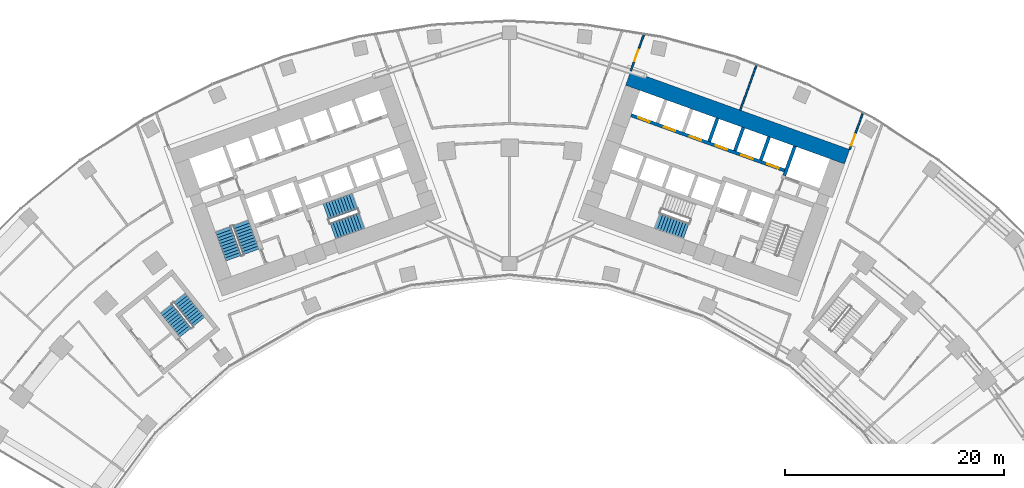
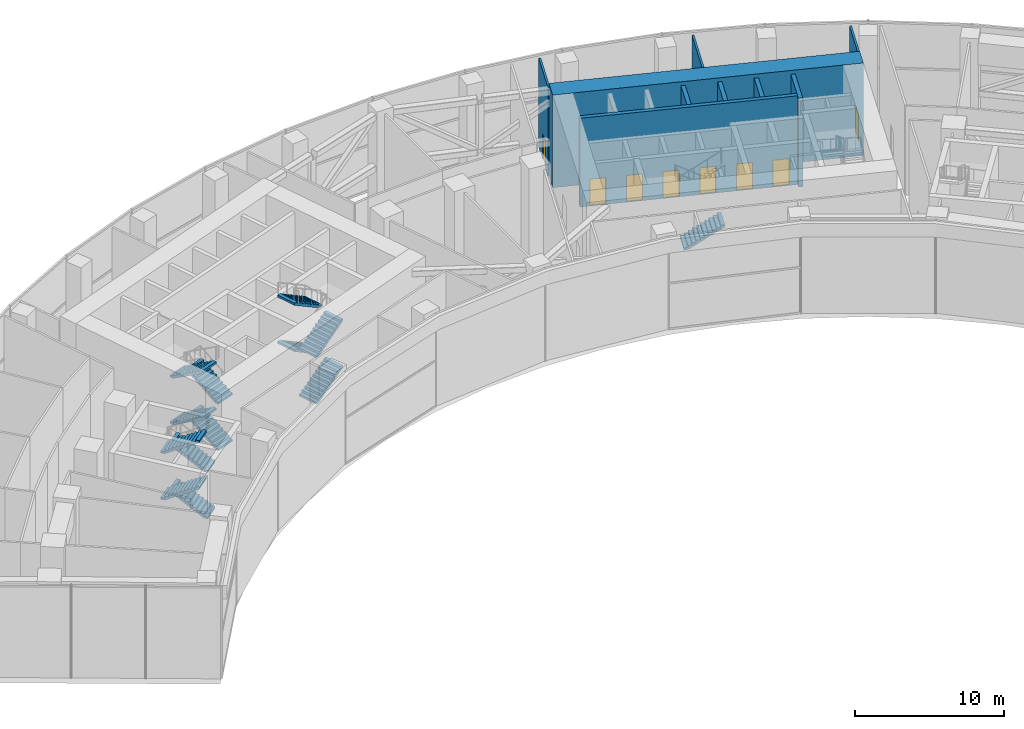
# One storey, part 29 of 33: 13 stair flights, 9 walls, 8 doors, 8 openings, 4 elements without a shape of their own.
"""IFC4 building model written with IfcOpenShell, lengths in metres."""

from ifc_helpers import new_model, si_unit, direction, frame, frame_2d, origin, place, context, subcontext, project, spatial, polyline, rectangle, outline, extrude, material, layer, layer_set, type_object, element, fill, aggregate, save


model = new_model("IFC4")

# Units and contexts
model_context = context("Model", 3, precision=1e-05, world=origin(), true_north=direction((0.0, 1.0)))
body_context = subcontext(model_context, "Body", "Model", "MODEL_VIEW")
ifc_project = project(units=[si_unit("LENGTHUNIT", "METRE"), si_unit("AREAUNIT", "SQUARE_METRE"), si_unit("VOLUMEUNIT", "CUBIC_METRE"), si_unit("PLANEANGLEUNIT", "RADIAN"), si_unit("MASSUNIT", "GRAM", prefix="KILO")], contexts=[model_context])

# Site, building, storey
site_placement = place(None, origin())
site = spatial("IfcSite", under=ifc_project, at=site_placement, CompositionType="ELEMENT")
building_placement = place(site_placement, origin())
building = spatial("IfcBuilding", under=site, at=building_placement, Name="Stone Belt Terrace Tower", CompositionType="ELEMENT")
storey_placement = place(building_placement, frame((0.0, 0.0, 79.39990234375)))
storey = spatial("IfcBuildingStorey", under=building, at=storey_placement, Name="L19", CompositionType="ELEMENT", Elevation=79.39990234375)

# Walls
ifc_material_1 = material(Name="Concrete B80", Category="concrete")
ifc_layer_1 = layer(ifc_material_1, 1.39990234375)
ifc_layer_set_1 = layer_set([ifc_layer_1], Name="Core wall 1400 B80")
wall_type_1 = type_object("IfcWallType", Name="Core wall 1400 B80", PredefinedType="SHEAR", material=ifc_layer_set_1)
wall_1_placement = place(storey_placement, frame((10.81787109375, 61.362060546875, 0.0), z_axis=(0.0, 0.0, 1.0), x_axis=(0.940919704758, -0.338629752382, 0.0)))
element("IfcWall", 1, at=wall_1_placement, inside=storey, type_object=wall_type_1, Name="Core B wall convex L19", PredefinedType="SHEAR", context=body_context, shape_type="SweptSolid", body=[
    extrude(rectangle(XDim=21.199951171875, YDim=1.39990234375, at=frame_2d((10.60009765625, 0.0))), origin(), (0.0, 0.0, 1.0), 7.60009765625),
])
ifc_layer_2 = layer(ifc_material_1, 0.300048828125)
ifc_layer_set_2 = layer_set([ifc_layer_2], Name="Lift shaft wall 300")
wall_type_2 = type_object("IfcWallType", Name="Lift shaft wall 300", PredefinedType="SHEAR", material=ifc_layer_set_2)
wall_2_placement = place(storey_placement, frame((25.046875, 52.46826171875, 0.0), z_axis=(0.0, 0.0, 1.0), x_axis=(0.338549588058, 0.940948551423, 0.0)))
element("IfcWall", 2, at=wall_2_placement, inside=storey, type_object=wall_type_2, Name="Core B wall", PredefinedType="SHEAR", context=body_context, shape_type="SweptSolid", body=[
    extrude(rectangle(XDim=2.849853515625, YDim=0.300048828125, at=frame_2d((1.4248046875, 0.0))), origin(), (0.0, 0.0, 1.0), 7.280029296875),
])

# Wall, openings, doors
wall_3_placement = place(storey_placement, frame((25.05810546875, 52.9423828125, 0.0), z_axis=(0.0, 0.0, 1.0), x_axis=(-0.940918215764, 0.338633889685, 0.0)))
wall_3 = element("IfcWall", 3, at=wall_3_placement, inside=storey, type_object=wall_type_2, Name="Core B wall", PredefinedType="SHEAR", context=body_context, shape_type="SweptSolid", body=[
    extrude(rectangle(XDim=14.850341796875, YDim=0.300048828125, at=frame_2d((7.42529296875, 0.0))), origin(), (0.0, 0.0, 1.0), 7.280029296875),
])
opening_1_placement = place(wall_3_placement, frame((0.570068359375, 0.0, 0.0)))
opening_1 = element("IfcOpeningElement", 4, at=opening_1_placement, cuts=wall_3, Name="Opening L19-LD10", PredefinedType="OPENING", context=body_context, shape_type="SweptSolid", body=[
    extrude(rectangle(XDim=1.10009765625, YDim=2.199951171875, at=frame_2d((0.550048828125, 1.10009765625))), frame((0.0, 0.159912109375, 0.0), z_axis=(0.0, -1.0, 0.0), x_axis=(1.0, 0.0, 0.0)), (0.0, 0.0, 1.0), 0.320068359375),
])
opening_2_placement = place(wall_3_placement, frame((3.070068359375, 0.0, 0.0)))
opening_2 = element("IfcOpeningElement", 5, at=opening_2_placement, cuts=wall_3, Name="Opening L19-LD11", PredefinedType="OPENING", context=body_context, shape_type="SweptSolid", body=[
    extrude(rectangle(XDim=1.10009765625, YDim=2.199951171875, at=frame_2d((0.550048828125, 1.10009765625))), frame((0.0, 0.159912109375, 0.0), z_axis=(0.0, -1.0, 0.0), x_axis=(1.0, 0.0, 0.0)), (0.0, 0.0, 1.0), 0.320068359375),
])
opening_3_placement = place(wall_3_placement, frame((5.570068359375, 0.0, 0.0)))
opening_3 = element("IfcOpeningElement", 6, at=opening_3_placement, cuts=wall_3, Name="Opening L19-LD12", PredefinedType="OPENING", context=body_context, shape_type="SweptSolid", body=[
    extrude(rectangle(XDim=1.10009765625, YDim=2.199951171875, at=frame_2d((0.550048828125, 1.10009765625))), frame((0.0, 0.159912109375, 0.0), z_axis=(0.0, -1.0, 0.0), x_axis=(1.0, 0.0, 0.0)), (0.0, 0.0, 1.0), 0.320068359375),
])
opening_4_placement = place(wall_3_placement, frame((8.070068359375, 0.0, 0.0)))
opening_4 = element("IfcOpeningElement", 7, at=opening_4_placement, cuts=wall_3, Name="Opening L19-LD13", PredefinedType="OPENING", context=body_context, shape_type="SweptSolid", body=[
    extrude(rectangle(XDim=1.10009765625, YDim=2.199951171875, at=frame_2d((0.550048828125, 1.10009765625))), frame((0.0, 0.159912109375, 0.0), z_axis=(0.0, -1.0, 0.0), x_axis=(1.0, 0.0, 0.0)), (0.0, 0.0, 1.0), 0.320068359375),
])
opening_5_placement = place(wall_3_placement, frame((10.570068359375, 0.0, 0.0)))
opening_5 = element("IfcOpeningElement", 8, at=opening_5_placement, cuts=wall_3, Name="Opening L19-LD14", PredefinedType="OPENING", context=body_context, shape_type="SweptSolid", body=[
    extrude(rectangle(XDim=1.10009765625, YDim=2.199951171875, at=frame_2d((0.550048828125, 1.10009765625))), frame((0.0, 0.159912109375, 0.0), z_axis=(0.0, -1.0, 0.0), x_axis=(1.0, 0.0, 0.0)), (0.0, 0.0, 1.0), 0.320068359375),
])
opening_6_placement = place(wall_3_placement, frame((13.070068359375, 0.0, 0.0)))
opening_6 = element("IfcOpeningElement", 9, at=opening_6_placement, cuts=wall_3, Name="Opening L19-LD15", PredefinedType="OPENING", context=body_context, shape_type="SweptSolid", body=[
    extrude(rectangle(XDim=1.10009765625, YDim=2.199951171875, at=frame_2d((0.550048828125, 1.10009765625))), frame((0.0, 0.159912109375, 0.0), z_axis=(0.0, -1.0, 0.0), x_axis=(1.0, 0.0, 0.0)), (0.0, 0.0, 1.0), 0.320068359375),
])
ifc_material_2 = material(Name="Stainless steel door leaf", Category="steel")
door_type_1 = type_object("IfcDoorType", Name="Landing door 1100", OperationType="SLIDING_TO_LEFT", PredefinedType="DOOR", material=ifc_material_2)
door_1_placement = place(opening_1_placement, origin())
door_1 = element("IfcDoor", 10, at=door_1_placement, inside=storey, type_object=door_type_1, Name="Landing door LR1 core B", OperationType="SLIDING_TO_LEFT", OverallHeight=2.199951171875, OverallWidth=1.10009765625, PredefinedType="DOOR", context=body_context, shape_type="SweptSolid", body=[
    extrude(rectangle(XDim=1.10009765625, YDim=2.199951171875, at=frame_2d((0.550048828125, 1.10009765625))), frame((0.0, 0.02490234375, 0.0), z_axis=(0.0, -1.0, 0.0), x_axis=(1.0, 0.0, 0.0)), (0.0, 0.0, 1.0), 0.050048828125),
])
fill(opening_1, door_1)
door_2_placement = place(opening_2_placement, origin())
door_2 = element("IfcDoor", 11, at=door_2_placement, inside=storey, type_object=door_type_1, Name="Landing door LR2 core B", OperationType="SLIDING_TO_LEFT", OverallHeight=2.199951171875, OverallWidth=1.10009765625, PredefinedType="DOOR", context=body_context, shape_type="SweptSolid", body=[
    extrude(rectangle(XDim=1.10009765625, YDim=2.199951171875, at=frame_2d((0.550048828125, 1.10009765625))), frame((0.0, 0.02490234375, 0.0), z_axis=(0.0, -1.0, 0.0), x_axis=(1.0, 0.0, 0.0)), (0.0, 0.0, 1.0), 0.050048828125),
])
fill(opening_2, door_2)
door_3_placement = place(opening_3_placement, origin())
door_3 = element("IfcDoor", 12, at=door_3_placement, inside=storey, type_object=door_type_1, Name="Landing door LR3 core B", OperationType="SLIDING_TO_LEFT", OverallHeight=2.199951171875, OverallWidth=1.10009765625, PredefinedType="DOOR", context=body_context, shape_type="SweptSolid", body=[
    extrude(rectangle(XDim=1.10009765625, YDim=2.199951171875, at=frame_2d((0.550048828125, 1.10009765625))), frame((0.0, 0.02490234375, 0.0), z_axis=(0.0, -1.0, 0.0), x_axis=(1.0, 0.0, 0.0)), (0.0, 0.0, 1.0), 0.050048828125),
])
fill(opening_3, door_3)
door_4_placement = place(opening_4_placement, origin())
door_4 = element("IfcDoor", 13, at=door_4_placement, inside=storey, type_object=door_type_1, Name="Landing door LR4 core B", OperationType="SLIDING_TO_LEFT", OverallHeight=2.199951171875, OverallWidth=1.10009765625, PredefinedType="DOOR", context=body_context, shape_type="SweptSolid", body=[
    extrude(rectangle(XDim=1.10009765625, YDim=2.199951171875, at=frame_2d((0.550048828125, 1.10009765625))), frame((0.0, 0.02490234375, 0.0), z_axis=(0.0, -1.0, 0.0), x_axis=(1.0, 0.0, 0.0)), (0.0, 0.0, 1.0), 0.050048828125),
])
fill(opening_4, door_4)
door_5_placement = place(opening_5_placement, origin())
door_5 = element("IfcDoor", 14, at=door_5_placement, inside=storey, type_object=door_type_1, Name="Landing door LR5 core B", OperationType="SLIDING_TO_LEFT", OverallHeight=2.199951171875, OverallWidth=1.10009765625, PredefinedType="DOOR", context=body_context, shape_type="SweptSolid", body=[
    extrude(rectangle(XDim=1.10009765625, YDim=2.199951171875, at=frame_2d((0.550048828125, 1.10009765625))), frame((0.0, 0.02490234375, 0.0), z_axis=(0.0, -1.0, 0.0), x_axis=(1.0, 0.0, 0.0)), (0.0, 0.0, 1.0), 0.050048828125),
])
fill(opening_5, door_5)
door_6_placement = place(opening_6_placement, origin())
door_6 = element("IfcDoor", 15, at=door_6_placement, inside=storey, type_object=door_type_1, Name="Landing door LR6 core B", OperationType="SLIDING_TO_LEFT", OverallHeight=2.199951171875, OverallWidth=1.10009765625, PredefinedType="DOOR", context=body_context, shape_type="SweptSolid", body=[
    extrude(rectangle(XDim=1.10009765625, YDim=2.199951171875, at=frame_2d((0.550048828125, 1.10009765625))), frame((0.0, 0.02490234375, 0.0), z_axis=(0.0, -1.0, 0.0), x_axis=(1.0, 0.0, 0.0)), (0.0, 0.0, 1.0), 0.050048828125),
])
fill(opening_6, door_6)

# Walls
wall_4_placement = place(storey_placement, frame((22.897705078125, 53.87939453125, 0.0), z_axis=(0.0, 0.0, 1.0), x_axis=(0.338535034312, 0.940953787677, 0.0)))
element("IfcWall", 16, at=wall_4_placement, inside=storey, type_object=wall_type_2, Name="Core B wall", PredefinedType="SHEAR", context=body_context, shape_type="SweptSolid", body=[
    extrude(rectangle(XDim=2.25, YDim=0.300048828125, at=frame_2d((1.125, 0.0))), origin(), (0.0, 0.0, 1.0), 7.280029296875),
])
wall_5_placement = place(storey_placement, frame((20.54541015625, 54.72607421875, 0.0), z_axis=(0.0, 0.0, 1.0), x_axis=(0.338569601369, 0.940941350472, 0.0)))
element("IfcWall", 17, at=wall_5_placement, inside=storey, type_object=wall_type_2, Name="Core B wall", PredefinedType="SHEAR", context=body_context, shape_type="SweptSolid", body=[
    extrude(rectangle(XDim=2.249755859375, YDim=0.300048828125, at=frame_2d((1.125, 0.0))), origin(), (0.0, 0.0, 1.0), 7.280029296875),
])
wall_6_placement = place(storey_placement, frame((18.193115234375, 55.572509765625, 0.0), z_axis=(0.0, 0.0, 1.0), x_axis=(0.338535034312, 0.940953787677, 0.0)))
element("IfcWall", 18, at=wall_6_placement, inside=storey, type_object=wall_type_2, Name="Core B wall", PredefinedType="SHEAR", context=body_context, shape_type="SweptSolid", body=[
    extrude(rectangle(XDim=2.25, YDim=0.300048828125, at=frame_2d((1.125, 0.0))), origin(), (0.0, 0.0, 1.0), 7.280029296875),
])

# Wall, opening, door
ifc_material_3 = material(Name="Gypsum board partition")
ifc_layer_3 = layer(ifc_material_3, 0.14990234375)
ifc_layer_set_3 = layer_set([ifc_layer_3], Name="PARTITION 150 EI 60")
wall_type_3 = type_object("IfcWallType", Name="PARTITION 150 EI 60", PredefinedType="PARTITIONING", material=ifc_layer_set_3)
wall_7_placement = place(storey_placement, frame((12.23486328125, 65.297119140625, 0.0), z_axis=(0.0, 0.0, 1.0), x_axis=(-0.338853532575, -0.94083913793, 0.0)))
wall_7 = element("IfcWall", 19, at=wall_7_placement, inside=storey, type_object=wall_type_3, Name="L19/wall/i017", PredefinedType="PARTITIONING", context=body_context, shape_type="SweptSolid", body=[
    extrude(rectangle(XDim=3.482177734375, YDim=0.14990234375, at=frame_2d((1.7412109375, 0.0))), origin(), (0.0, 0.0, 1.0), 7.280029296875),
])
opening_7_placement = place(wall_7_placement, frame((1.458251953125, 0.0, 0.0)))
opening_7 = element("IfcOpeningElement", 20, at=opening_7_placement, cuts=wall_7, Name="Opening D-T1-09", PredefinedType="OPENING", context=body_context, shape_type="SweptSolid", body=[
    extrude(rectangle(XDim=1.10009765625, YDim=2.10009765625, at=frame_2d((0.550048828125, 1.050048828125))), frame((0.0, 0.0849609375, 0.0), z_axis=(0.0, -1.0, 0.0), x_axis=(1.0, 0.0, 0.0)), (0.0, 0.0, 1.0), 0.169921875),
])
ifc_material_4 = material(Name="Steel fire door set", Category="steel")
door_type_2 = type_object("IfcDoorType", Name="SERVICE ROOM DOOR 1100 X 2100", OperationType="NOTDEFINED", PredefinedType="DOOR", material=ifc_material_4)
door_7_placement = place(opening_7_placement, origin())
door_7 = element("IfcDoor", 21, at=door_7_placement, inside=storey, type_object=door_type_2, Name="L19/door/i09", OperationType="SINGLE_SWING_RIGHT", OverallHeight=2.10009765625, OverallWidth=1.10009765625, PredefinedType="DOOR", context=body_context, shape_type="SweptSolid", body=[
    extrude(rectangle(XDim=1.10009765625, YDim=2.10009765625, at=frame_2d((0.550048828125, 1.050048828125))), frame((0.0, 0.02490234375, 0.0), z_axis=(0.0, -1.0, 0.0), x_axis=(1.0, 0.0, 0.0)), (0.0, 0.0, 1.0), 0.050048828125),
])
fill(opening_7, door_7)

wall_8_placement = place(storey_placement, frame((31.001953125, 54.842041015625, 0.0), z_axis=(0.0, 0.0, 1.0), x_axis=(0.338662585219, 0.940907887826, 0.0)))
wall_8 = element("IfcWall", 22, at=wall_8_placement, inside=storey, type_object=wall_type_3, Name="L19/wall/i021", PredefinedType="PARTITIONING", context=body_context, shape_type="SweptSolid", body=[
    extrude(rectangle(XDim=3.49560546875, YDim=0.14990234375, at=frame_2d((1.747802734375, 0.0))), origin(), (0.0, 0.0, 1.0), 7.280029296875),
])
opening_8_placement = place(wall_8_placement, frame((0.389892578125, 0.0, 0.0)))
opening_8 = element("IfcOpeningElement", 23, at=opening_8_placement, cuts=wall_8, Name="Opening D-T1-10", PredefinedType="OPENING", context=body_context, shape_type="SweptSolid", body=[
    extrude(rectangle(XDim=1.10009765625, YDim=2.10009765625, at=frame_2d((0.550048828125, 1.050048828125))), frame((0.0, 0.0849609375, 0.0), z_axis=(0.0, -1.0, 0.0), x_axis=(1.0, 0.0, 0.0)), (0.0, 0.0, 1.0), 0.169921875),
])
door_8_placement = place(opening_8_placement, origin())
door_8 = element("IfcDoor", 24, at=door_8_placement, inside=storey, type_object=door_type_2, Name="L19/door/i10", OperationType="SINGLE_SWING_LEFT", OverallHeight=2.10009765625, OverallWidth=1.10009765625, PredefinedType="DOOR", context=body_context, shape_type="SweptSolid", body=[
    extrude(rectangle(XDim=1.10009765625, YDim=2.10009765625, at=frame_2d((0.550048828125, 1.050048828125))), frame((0.0, 0.02490234375, 0.0), z_axis=(0.0, -1.0, 0.0), x_axis=(1.0, 0.0, 0.0)), (0.0, 0.0, 1.0), 0.050048828125),
])
fill(opening_8, door_8)

# Wall
wall_9_placement = place(storey_placement, frame((22.492919921875, 62.4990234375, 0.0), z_axis=(0.0, 0.0, 1.0), x_axis=(-0.338585491978, -0.94093563256, 0.0)))
element("IfcWall", 25, at=wall_9_placement, inside=storey, type_object=wall_type_3, Name="L19/wall/i030", PredefinedType="PARTITIONING", context=body_context, shape_type="SweptSolid", body=[
    extrude(rectangle(XDim=4.323486328125, YDim=0.14990234375, at=frame_2d((2.16162109375, 0.0))), origin(), (0.0, 0.0, 1.0), 7.280029296875),
])

# Stair, stair flights
ifc_material_5 = material(Name="Concrete B40", Category="concrete")
stair_type = type_object("IfcStairType", Name="Exit stair 1500", PredefinedType="HALF_TURN_STAIR", material=ifc_material_5)
stair_1_placement = place(storey_placement, origin())
stair_1 = element("IfcStair", 26, at=stair_1_placement, inside=storey, type_object=stair_type, Name="L19 Exit stair 1 core A", PredefinedType="HALF_TURN_STAIR")
stair_flight_type = type_object("IfcStairFlightType", Name="Stair flight 1500", PredefinedType="STRAIGHT", material=ifc_material_5)
stair_flight_1_placement = place(storey_placement, frame((-23.55322265625, 45.51318359375, 0.0), z_axis=(0.0, 0.0, 1.0), x_axis=(-0.338624396177, 0.940921632398, 0.0)))
stair_flight_1 = element("IfcStairFlight", 27, at=stair_flight_1_placement, type_object=stair_flight_type, Name="ST1A flight 1", NumberOfRisers=11, NumberOfTreads=10, PredefinedType="STRAIGHT", RiserHeight=0.172727273, TreadLength=0.28, context=body_context, shape_type="SweptSolid", body=[
    extrude(outline(polyline([(0.0, 0.0), (0.0, 0.172607421875), (0.280029296875, 0.172607421875), (0.280029296875, 0.345458984375), (0.56005859375, 0.345458984375), (0.56005859375, 0.51806640625), (0.840087890625, 0.51806640625), (0.840087890625, 0.69091796875), (1.1201171875, 0.69091796875), (1.1201171875, 0.863525390625), (1.39990234375, 0.863525390625), (1.39990234375, 1.036376953125), (1.679931640625, 1.036376953125), (1.679931640625, 1.208984375), (1.9599609375, 1.208984375), (1.9599609375, 1.3818359375), (2.239990234375, 1.3818359375), (2.239990234375, 1.554443359375), (2.52001953125, 1.554443359375), (2.52001953125, 1.727294921875), (2.800048828125, 1.727294921875), (2.800048828125, 1.89990234375), (2.800048828125, 1.551025390625), (0.285400390625, 0.0), (0.0, 0.0)])), frame((0.0, 0.75, 0.0), z_axis=(0.0, -1.0, 0.0), x_axis=(1.0, 0.0, 0.0)), (0.0, 0.0, 1.0), 1.5),
])
stair_flight_2_placement = place(storey_placement, frame((-26.10107421875, 47.572021484375, 1.900146484375), z_axis=(0.0, 0.0, 1.0), x_axis=(0.338624396177, -0.940921632398, 0.0)))
stair_flight_2 = element("IfcStairFlight", 28, at=stair_flight_2_placement, type_object=stair_flight_type, Name="ST1A flight 2", NumberOfRisers=11, NumberOfTreads=10, PredefinedType="STRAIGHT", RiserHeight=0.172727273, TreadLength=0.28, context=body_context, shape_type="SweptSolid", body=[
    extrude(outline(polyline([(0.0, 0.0), (0.0, 0.172607421875), (0.280029296875, 0.172607421875), (0.280029296875, 0.345458984375), (0.56005859375, 0.345458984375), (0.56005859375, 0.51806640625), (0.840087890625, 0.51806640625), (0.840087890625, 0.69091796875), (1.1201171875, 0.69091796875), (1.1201171875, 0.863525390625), (1.39990234375, 0.863525390625), (1.39990234375, 1.036376953125), (1.679931640625, 1.036376953125), (1.679931640625, 1.208984375), (1.9599609375, 1.208984375), (1.9599609375, 1.3818359375), (2.239990234375, 1.3818359375), (2.239990234375, 1.554443359375), (2.52001953125, 1.554443359375), (2.52001953125, 1.727294921875), (2.800048828125, 1.727294921875), (2.800048828125, 1.89990234375), (2.800048828125, 1.551025390625), (0.285400390625, 0.0), (0.0, 0.0)])), frame((0.0, 0.75, 0.0), z_axis=(0.0, -1.0, 0.0), x_axis=(1.0, 0.0, 0.0)), (0.0, 0.0, 1.0), 1.5),
])
stair_flight_3_placement = place(storey_placement, frame((-23.55322265625, 45.51318359375, 3.800048828125), z_axis=(0.0, 0.0, 1.0), x_axis=(-0.338624396177, 0.940921632398, 0.0)))
stair_flight_3 = element("IfcStairFlight", 29, at=stair_flight_3_placement, type_object=stair_flight_type, Name="ST1A flight 3", NumberOfRisers=11, NumberOfTreads=10, PredefinedType="STRAIGHT", RiserHeight=0.172727273, TreadLength=0.28, context=body_context, shape_type="SweptSolid", body=[
    extrude(outline(polyline([(0.0, 0.0), (0.0, 0.172607421875), (0.280029296875, 0.172607421875), (0.280029296875, 0.345458984375), (0.56005859375, 0.345458984375), (0.56005859375, 0.51806640625), (0.840087890625, 0.51806640625), (0.840087890625, 0.69091796875), (1.1201171875, 0.69091796875), (1.1201171875, 0.863525390625), (1.39990234375, 0.863525390625), (1.39990234375, 1.036376953125), (1.679931640625, 1.036376953125), (1.679931640625, 1.208984375), (1.9599609375, 1.208984375), (1.9599609375, 1.3818359375), (2.239990234375, 1.3818359375), (2.239990234375, 1.554443359375), (2.52001953125, 1.554443359375), (2.52001953125, 1.727294921875), (2.800048828125, 1.727294921875), (2.800048828125, 1.89990234375), (2.800048828125, 1.551025390625), (0.285400390625, 0.0), (0.0, 0.0)])), frame((0.0, 0.75, 0.0), z_axis=(0.0, -1.0, 0.0), x_axis=(1.0, 0.0, 0.0)), (0.0, 0.0, 1.0), 1.5),
])
stair_flight_4_placement = place(storey_placement, frame((-26.10107421875, 47.572021484375, 5.7001953125), z_axis=(0.0, 0.0, 1.0), x_axis=(0.338624396177, -0.940921632398, 0.0)))
stair_flight_4 = element("IfcStairFlight", 30, at=stair_flight_4_placement, type_object=stair_flight_type, Name="ST1A flight 4", NumberOfRisers=11, NumberOfTreads=10, PredefinedType="STRAIGHT", RiserHeight=0.172727273, TreadLength=0.28, context=body_context, shape_type="SweptSolid", body=[
    extrude(outline(polyline([(0.0, 0.0), (0.0, 0.172607421875), (0.280029296875, 0.172607421875), (0.280029296875, 0.345458984375), (0.56005859375, 0.345458984375), (0.56005859375, 0.51806640625), (0.840087890625, 0.51806640625), (0.840087890625, 0.69091796875), (1.1201171875, 0.69091796875), (1.1201171875, 0.863525390625), (1.39990234375, 0.863525390625), (1.39990234375, 1.036376953125), (1.679931640625, 1.036376953125), (1.679931640625, 1.208984375), (1.9599609375, 1.208984375), (1.9599609375, 1.3818359375), (2.239990234375, 1.3818359375), (2.239990234375, 1.554443359375), (2.52001953125, 1.554443359375), (2.52001953125, 1.727294921875), (2.800048828125, 1.727294921875), (2.800048828125, 1.89990234375), (2.800048828125, 1.551025390625), (0.285400390625, 0.0), (0.0, 0.0)])), frame((0.0, 0.75, 0.0), z_axis=(0.0, -1.0, 0.0), x_axis=(1.0, 0.0, 0.0)), (0.0, 0.0, 1.0), 1.5),
])
aggregate(stair_1, [stair_flight_1, stair_flight_2, stair_flight_3, stair_flight_4])

stair_2_placement = place(storey_placement, origin())
stair_2 = element("IfcStair", 31, at=stair_2_placement, inside=storey, type_object=stair_type, Name="L19 Exit stair 2 core A", PredefinedType="HALF_TURN_STAIR")
stair_flight_5_placement = place(storey_placement, frame((-16.101318359375, 47.39794921875, 0.0), z_axis=(0.0, 0.0, 1.0), x_axis=(0.940921632398, 0.338624396177, 0.0)))
stair_flight_5 = element("IfcStairFlight", 32, at=stair_flight_5_placement, type_object=stair_flight_type, Name="ST2A flight 1", NumberOfRisers=11, NumberOfTreads=10, PredefinedType="STRAIGHT", RiserHeight=0.172727273, TreadLength=0.28, context=body_context, shape_type="SweptSolid", body=[
    extrude(outline(polyline([(0.0, 0.0), (0.0, 0.172607421875), (0.280029296875, 0.172607421875), (0.280029296875, 0.345458984375), (0.56005859375, 0.345458984375), (0.56005859375, 0.51806640625), (0.840087890625, 0.51806640625), (0.840087890625, 0.69091796875), (1.1201171875, 0.69091796875), (1.1201171875, 0.863525390625), (1.39990234375, 0.863525390625), (1.39990234375, 1.036376953125), (1.679931640625, 1.036376953125), (1.679931640625, 1.208984375), (1.9599609375, 1.208984375), (1.9599609375, 1.3818359375), (2.239990234375, 1.3818359375), (2.239990234375, 1.554443359375), (2.52001953125, 1.554443359375), (2.52001953125, 1.727294921875), (2.800048828125, 1.727294921875), (2.800048828125, 1.89990234375), (2.800048828125, 1.551025390625), (0.285400390625, 0.0), (0.0, 0.0)])), frame((0.0, 0.75, 0.0), z_axis=(0.0, -1.0, 0.0), x_axis=(1.0, 0.0, 0.0)), (0.0, 0.0, 1.0), 1.5),
])
stair_flight_6_placement = place(storey_placement, frame((-14.110107421875, 50.1337890625, 1.900146484375), z_axis=(0.0, 0.0, 1.0), x_axis=(-0.940921632398, -0.338624396177, 0.0)))
stair_flight_6 = element("IfcStairFlight", 33, at=stair_flight_6_placement, type_object=stair_flight_type, Name="ST2A flight 2", NumberOfRisers=11, NumberOfTreads=10, PredefinedType="STRAIGHT", RiserHeight=0.172727273, TreadLength=0.28, context=body_context, shape_type="SweptSolid", body=[
    extrude(outline(polyline([(0.0, 0.0), (0.0, 0.172607421875), (0.280029296875, 0.172607421875), (0.280029296875, 0.345458984375), (0.56005859375, 0.345458984375), (0.56005859375, 0.51806640625), (0.840087890625, 0.51806640625), (0.840087890625, 0.69091796875), (1.1201171875, 0.69091796875), (1.1201171875, 0.863525390625), (1.39990234375, 0.863525390625), (1.39990234375, 1.036376953125), (1.679931640625, 1.036376953125), (1.679931640625, 1.208984375), (1.9599609375, 1.208984375), (1.9599609375, 1.3818359375), (2.239990234375, 1.3818359375), (2.239990234375, 1.554443359375), (2.52001953125, 1.554443359375), (2.52001953125, 1.727294921875), (2.800048828125, 1.727294921875), (2.800048828125, 1.89990234375), (2.800048828125, 1.551025390625), (0.285400390625, 0.0), (0.0, 0.0)])), frame((0.0, 0.75, 0.0), z_axis=(0.0, -1.0, 0.0), x_axis=(1.0, 0.0, 0.0)), (0.0, 0.0, 1.0), 1.5),
])
stair_flight_7_placement = place(storey_placement, frame((-16.101318359375, 47.39794921875, 3.800048828125), z_axis=(0.0, 0.0, 1.0), x_axis=(0.940921632398, 0.338624396177, 0.0)))
stair_flight_7 = element("IfcStairFlight", 34, at=stair_flight_7_placement, type_object=stair_flight_type, Name="ST2A flight 3", NumberOfRisers=11, NumberOfTreads=10, PredefinedType="STRAIGHT", RiserHeight=0.172727273, TreadLength=0.28, context=body_context, shape_type="SweptSolid", body=[
    extrude(outline(polyline([(0.0, 0.0), (0.0, 0.172607421875), (0.280029296875, 0.172607421875), (0.280029296875, 0.345458984375), (0.56005859375, 0.345458984375), (0.56005859375, 0.51806640625), (0.840087890625, 0.51806640625), (0.840087890625, 0.69091796875), (1.1201171875, 0.69091796875), (1.1201171875, 0.863525390625), (1.39990234375, 0.863525390625), (1.39990234375, 1.036376953125), (1.679931640625, 1.036376953125), (1.679931640625, 1.208984375), (1.9599609375, 1.208984375), (1.9599609375, 1.3818359375), (2.239990234375, 1.3818359375), (2.239990234375, 1.554443359375), (2.52001953125, 1.554443359375), (2.52001953125, 1.727294921875), (2.800048828125, 1.727294921875), (2.800048828125, 1.89990234375), (2.800048828125, 1.551025390625), (0.285400390625, 0.0), (0.0, 0.0)])), frame((0.0, 0.75, 0.0), z_axis=(0.0, -1.0, 0.0), x_axis=(1.0, 0.0, 0.0)), (0.0, 0.0, 1.0), 1.5),
])
stair_flight_8_placement = place(storey_placement, frame((-14.110107421875, 50.1337890625, 5.7001953125), z_axis=(0.0, 0.0, 1.0), x_axis=(-0.940921632398, -0.338624396177, 0.0)))
stair_flight_8 = element("IfcStairFlight", 35, at=stair_flight_8_placement, type_object=stair_flight_type, Name="ST2A flight 4", NumberOfRisers=11, NumberOfTreads=10, PredefinedType="STRAIGHT", RiserHeight=0.172727273, TreadLength=0.28, context=body_context, shape_type="SweptSolid", body=[
    extrude(outline(polyline([(0.0, 0.0), (0.0, 0.172607421875), (0.280029296875, 0.172607421875), (0.280029296875, 0.345458984375), (0.56005859375, 0.345458984375), (0.56005859375, 0.51806640625), (0.840087890625, 0.51806640625), (0.840087890625, 0.69091796875), (1.1201171875, 0.69091796875), (1.1201171875, 0.863525390625), (1.39990234375, 0.863525390625), (1.39990234375, 1.036376953125), (1.679931640625, 1.036376953125), (1.679931640625, 1.208984375), (1.9599609375, 1.208984375), (1.9599609375, 1.3818359375), (2.239990234375, 1.3818359375), (2.239990234375, 1.554443359375), (2.52001953125, 1.554443359375), (2.52001953125, 1.727294921875), (2.800048828125, 1.727294921875), (2.800048828125, 1.89990234375), (2.800048828125, 1.551025390625), (0.285400390625, 0.0), (0.0, 0.0)])), frame((0.0, 0.75, 0.0), z_axis=(0.0, -1.0, 0.0), x_axis=(1.0, 0.0, 0.0)), (0.0, 0.0, 1.0), 1.5),
])
aggregate(stair_2, [stair_flight_5, stair_flight_6, stair_flight_7, stair_flight_8])

# Stair, stair flight
stair_3_placement = place(storey_placement, origin())
stair_3 = element("IfcStair", 36, at=stair_3_placement, inside=storey, type_object=stair_type, Name="L19 Exit stair 2 core B", PredefinedType="HALF_TURN_STAIR")
stair_flight_9_placement = place(storey_placement, frame((13.466796875, 48.345947265625, 1.900146484375), z_axis=(0.0, 0.0, 1.0), x_axis=(0.940921632398, -0.338624396177, 0.0)))
stair_flight_9 = element("IfcStairFlight", 37, at=stair_flight_9_placement, type_object=stair_flight_type, Name="ST2B flight 2", NumberOfRisers=11, NumberOfTreads=10, PredefinedType="STRAIGHT", RiserHeight=0.172727273, TreadLength=0.28, context=body_context, shape_type="SweptSolid", body=[
    extrude(outline(polyline([(0.0, 0.0), (0.0, 0.172607421875), (0.280029296875, 0.172607421875), (0.280029296875, 0.345458984375), (0.56005859375, 0.345458984375), (0.56005859375, 0.51806640625), (0.840087890625, 0.51806640625), (0.840087890625, 0.69091796875), (1.1201171875, 0.69091796875), (1.1201171875, 0.863525390625), (1.39990234375, 0.863525390625), (1.39990234375, 1.036376953125), (1.679931640625, 1.036376953125), (1.679931640625, 1.208984375), (1.9599609375, 1.208984375), (1.9599609375, 1.3818359375), (2.239990234375, 1.3818359375), (2.239990234375, 1.554443359375), (2.52001953125, 1.554443359375), (2.52001953125, 1.727294921875), (2.800048828125, 1.727294921875), (2.800048828125, 1.89990234375), (2.800048828125, 1.551025390625), (0.285400390625, 0.0), (0.0, 0.0)])), frame((0.0, 0.75, 0.0), z_axis=(0.0, -1.0, 0.0), x_axis=(1.0, 0.0, 0.0)), (0.0, 0.0, 1.0), 1.5),
])
aggregate(stair_3, [stair_flight_9])

# Stair, stair flights
stair_4_placement = place(storey_placement, origin())
stair_4 = element("IfcStair", 38, at=stair_4_placement, inside=storey, type_object=stair_type, Name="L19 Exit stair 3A", PredefinedType="HALF_TURN_STAIR")
stair_flight_10_placement = place(storey_placement, frame((-28.325439453125, 39.1240234375, 0.0), z_axis=(0.0, 0.0, 1.0), x_axis=(-0.623121363691, 0.782125160132, 0.0)))
stair_flight_10 = element("IfcStairFlight", 39, at=stair_flight_10_placement, type_object=stair_flight_type, Name="ST3A flight 1", NumberOfRisers=11, NumberOfTreads=10, PredefinedType="STRAIGHT", RiserHeight=0.172727273, TreadLength=0.28, context=body_context, shape_type="SweptSolid", body=[
    extrude(outline(polyline([(0.0, 0.0), (0.0, 0.172607421875), (0.280029296875, 0.172607421875), (0.280029296875, 0.345458984375), (0.56005859375, 0.345458984375), (0.56005859375, 0.51806640625), (0.840087890625, 0.51806640625), (0.840087890625, 0.69091796875), (1.1201171875, 0.69091796875), (1.1201171875, 0.863525390625), (1.39990234375, 0.863525390625), (1.39990234375, 1.036376953125), (1.679931640625, 1.036376953125), (1.679931640625, 1.208984375), (1.9599609375, 1.208984375), (1.9599609375, 1.3818359375), (2.239990234375, 1.3818359375), (2.239990234375, 1.554443359375), (2.52001953125, 1.554443359375), (2.52001953125, 1.727294921875), (2.800048828125, 1.727294921875), (2.800048828125, 1.89990234375), (2.800048828125, 1.551025390625), (0.285400390625, 0.0), (0.0, 0.0)])), frame((0.0, 0.675048828125, 0.0), z_axis=(0.0, -1.0, 0.0), x_axis=(1.0, 0.0, 0.0)), (0.0, 0.0, 1.0), 1.35009765625),
])
stair_flight_11_placement = place(storey_placement, frame((-31.282470703125, 40.34814453125, 1.900146484375), z_axis=(0.0, 0.0, 1.0), x_axis=(0.623121363691, -0.782125160132, 0.0)))
stair_flight_11 = element("IfcStairFlight", 40, at=stair_flight_11_placement, type_object=stair_flight_type, Name="ST3A flight 2", NumberOfRisers=11, NumberOfTreads=10, PredefinedType="STRAIGHT", RiserHeight=0.172727273, TreadLength=0.28, context=body_context, shape_type="SweptSolid", body=[
    extrude(outline(polyline([(0.0, 0.0), (0.0, 0.172607421875), (0.280029296875, 0.172607421875), (0.280029296875, 0.345458984375), (0.56005859375, 0.345458984375), (0.56005859375, 0.51806640625), (0.840087890625, 0.51806640625), (0.840087890625, 0.69091796875), (1.1201171875, 0.69091796875), (1.1201171875, 0.863525390625), (1.39990234375, 0.863525390625), (1.39990234375, 1.036376953125), (1.679931640625, 1.036376953125), (1.679931640625, 1.208984375), (1.9599609375, 1.208984375), (1.9599609375, 1.3818359375), (2.239990234375, 1.3818359375), (2.239990234375, 1.554443359375), (2.52001953125, 1.554443359375), (2.52001953125, 1.727294921875), (2.800048828125, 1.727294921875), (2.800048828125, 1.89990234375), (2.800048828125, 1.551025390625), (0.285400390625, 0.0), (0.0, 0.0)])), frame((0.0, 0.675048828125, 0.0), z_axis=(0.0, -1.0, 0.0), x_axis=(1.0, 0.0, 0.0)), (0.0, 0.0, 1.0), 1.35009765625),
])
stair_flight_12_placement = place(storey_placement, frame((-28.325439453125, 39.1240234375, 3.800048828125), z_axis=(0.0, 0.0, 1.0), x_axis=(-0.623121363691, 0.782125160132, 0.0)))
stair_flight_12 = element("IfcStairFlight", 41, at=stair_flight_12_placement, type_object=stair_flight_type, Name="ST3A flight 3", NumberOfRisers=11, NumberOfTreads=10, PredefinedType="STRAIGHT", RiserHeight=0.172727273, TreadLength=0.28, context=body_context, shape_type="SweptSolid", body=[
    extrude(outline(polyline([(0.0, 0.0), (0.0, 0.172607421875), (0.280029296875, 0.172607421875), (0.280029296875, 0.345458984375), (0.56005859375, 0.345458984375), (0.56005859375, 0.51806640625), (0.840087890625, 0.51806640625), (0.840087890625, 0.69091796875), (1.1201171875, 0.69091796875), (1.1201171875, 0.863525390625), (1.39990234375, 0.863525390625), (1.39990234375, 1.036376953125), (1.679931640625, 1.036376953125), (1.679931640625, 1.208984375), (1.9599609375, 1.208984375), (1.9599609375, 1.3818359375), (2.239990234375, 1.3818359375), (2.239990234375, 1.554443359375), (2.52001953125, 1.554443359375), (2.52001953125, 1.727294921875), (2.800048828125, 1.727294921875), (2.800048828125, 1.89990234375), (2.800048828125, 1.551025390625), (0.285400390625, 0.0), (0.0, 0.0)])), frame((0.0, 0.675048828125, 0.0), z_axis=(0.0, -1.0, 0.0), x_axis=(1.0, 0.0, 0.0)), (0.0, 0.0, 1.0), 1.35009765625),
])
stair_flight_13_placement = place(storey_placement, frame((-31.282470703125, 40.34814453125, 5.7001953125), z_axis=(0.0, 0.0, 1.0), x_axis=(0.623121363691, -0.782125160132, 0.0)))
stair_flight_13 = element("IfcStairFlight", 42, at=stair_flight_13_placement, type_object=stair_flight_type, Name="ST3A flight 4", NumberOfRisers=11, NumberOfTreads=10, PredefinedType="STRAIGHT", RiserHeight=0.172727273, TreadLength=0.28, context=body_context, shape_type="SweptSolid", body=[
    extrude(outline(polyline([(0.0, 0.0), (0.0, 0.172607421875), (0.280029296875, 0.172607421875), (0.280029296875, 0.345458984375), (0.56005859375, 0.345458984375), (0.56005859375, 0.51806640625), (0.840087890625, 0.51806640625), (0.840087890625, 0.69091796875), (1.1201171875, 0.69091796875), (1.1201171875, 0.863525390625), (1.39990234375, 0.863525390625), (1.39990234375, 1.036376953125), (1.679931640625, 1.036376953125), (1.679931640625, 1.208984375), (1.9599609375, 1.208984375), (1.9599609375, 1.3818359375), (2.239990234375, 1.3818359375), (2.239990234375, 1.554443359375), (2.52001953125, 1.554443359375), (2.52001953125, 1.727294921875), (2.800048828125, 1.727294921875), (2.800048828125, 1.89990234375), (2.800048828125, 1.551025390625), (0.285400390625, 0.0), (0.0, 0.0)])), frame((0.0, 0.675048828125, 0.0), z_axis=(0.0, -1.0, 0.0), x_axis=(1.0, 0.0, 0.0)), (0.0, 0.0, 1.0), 1.35009765625),
])
aggregate(stair_4, [stair_flight_10, stair_flight_11, stair_flight_12, stair_flight_13])

save(model, "model.ifc")
